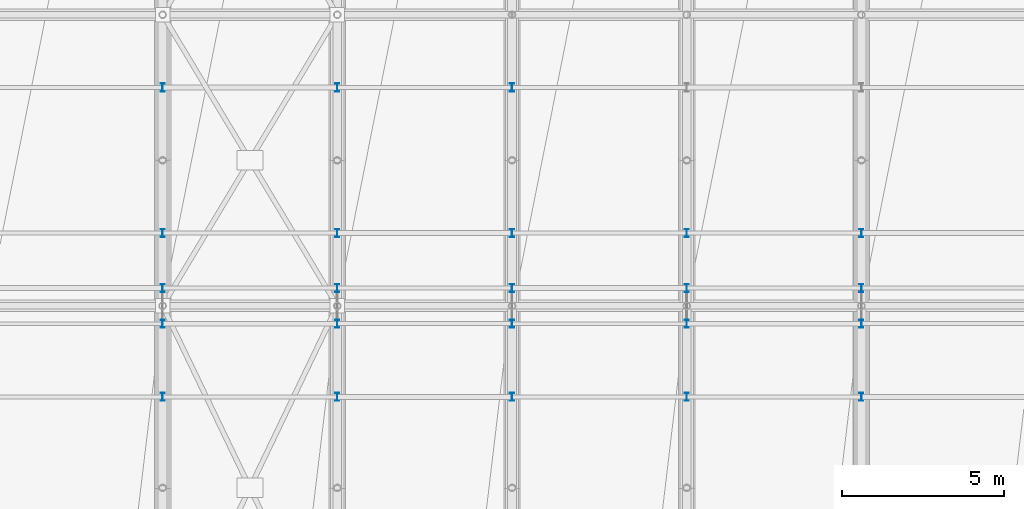
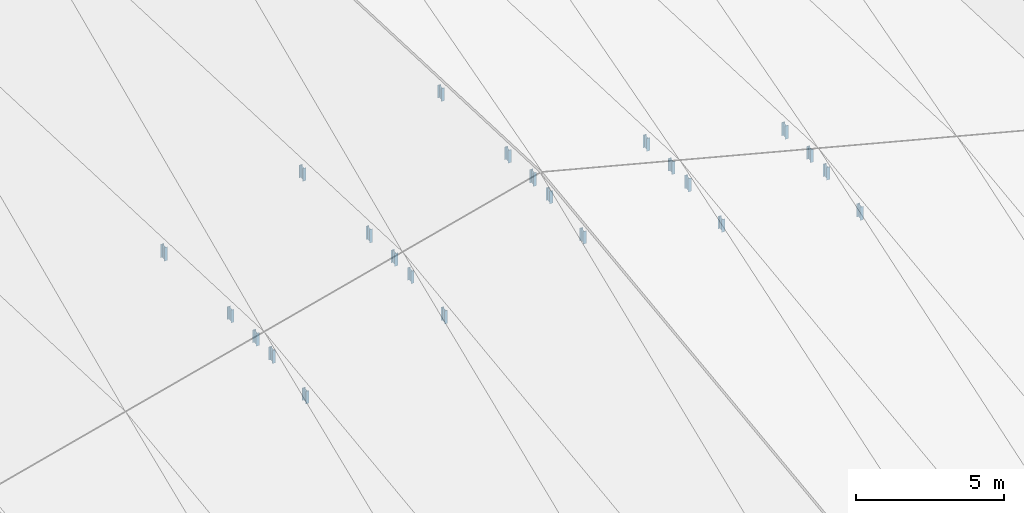
# One storey, part 72 of 109: 23 members.
"""IFC4 building model written with IfcOpenShell, lengths in metres."""

from ifc_helpers import new_model, si_unit, direction, frame, origin, origin_2d, place, context, subcontext, project, spatial, i_section, extrude, material, material_profile, profile_set, type_object, element, save


model = new_model("IFC4")

# Units and contexts
model_context = context("Model", 3, precision=1e-05, world=origin(), true_north=direction((0.0, 1.0)))
body_context = subcontext(model_context, "Body", "Model", "MODEL_VIEW")
ifc_project = project(units=[si_unit("LENGTHUNIT", "METRE"), si_unit("AREAUNIT", "SQUARE_METRE"), si_unit("VOLUMEUNIT", "CUBIC_METRE"), si_unit("PLANEANGLEUNIT", "RADIAN"), si_unit("MASSUNIT", "GRAM", prefix="KILO")], contexts=[model_context])

# Site, building, storey
site_placement = place(None, origin())
site = spatial("IfcSite", under=ifc_project, at=site_placement, CompositionType="ELEMENT")
building_placement = place(site_placement, origin())
building = spatial("IfcBuilding", under=site, at=building_placement, Name="Suirenkawa Promenade Aquatics Centre", CompositionType="ELEMENT")
storey_placement = place(building_placement, frame((0.0, 0.0, 22.800048828125)))
storey = spatial("IfcBuildingStorey", under=building, at=storey_placement, Name="ROOF", CompositionType="ELEMENT", Elevation=22.800048828125)

# Members
ifc_material = material(Name="Steel IS 2062 E350 (Grade 350)", Category="steel")
ifc_material_profile = material_profile(ifc_material, i_section(OverallWidth=0.125, OverallDepth=0.25, WebThickness=0.007080078125, FlangeThickness=0.012939453125, at=origin_2d()), Name="ISMB 250", Category="steel")
ifc_profile_set = profile_set([ifc_material_profile], Name="Steel IS 2062 E350 (Grade 350)")
member_type = type_object("IfcMemberType", Name="MT-WEB-CHS168", PredefinedType="BRACE", material=ifc_profile_set)
member_1_placement = place(storey_placement, frame((100.800048828125, 92.587890625, -6.98193359375), z_axis=(0.0, 0.0, 1.0), x_axis=(1.0, 0.0, 0.0)))
element("IfcMember", 1, at=member_1_placement, inside=storey, type_object=member_type, Name="ROOF TRUSS Purlin cleat post TD-03 MB-2028", PredefinedType="BRACE", context=body_context, shape_type="SweptSolid", body=[
    extrude(i_section(OverallWidth=0.125, OverallDepth=0.25, WebThickness=0.007080078125, FlangeThickness=0.012939453125, at=origin_2d()), origin(), (0.0, 0.0, 1.0), 0.519775390625),
])
member_2_placement = place(storey_placement, frame((100.800048828125, 94.85009765625, -6.691162109375), z_axis=(0.0, 0.0, 1.0), x_axis=(1.0, 0.0, 0.0)))
element("IfcMember", 2, at=member_2_placement, inside=storey, type_object=member_type, Name="ROOF TRUSS Purlin cleat post TD-03 MB-2030", PredefinedType="BRACE", context=body_context, shape_type="SweptSolid", body=[
    extrude(i_section(OverallWidth=0.125, OverallDepth=0.25, WebThickness=0.007080078125, FlangeThickness=0.012939453125, at=origin_2d()), origin(), (0.0, 0.0, 1.0), 0.546142578125),
])
member_3_placement = place(storey_placement, frame((100.800048828125, 95.949951171875, -6.64208984375), z_axis=(0.0, 0.0, 1.0), x_axis=(1.0, 0.0, 0.0)))
element("IfcMember", 3, at=member_3_placement, inside=storey, type_object=member_type, Name="ROOF TRUSS Purlin cleat post TD-03 MB-2032", PredefinedType="BRACE", context=body_context, shape_type="SweptSolid", body=[
    extrude(i_section(OverallWidth=0.125, OverallDepth=0.25, WebThickness=0.007080078125, FlangeThickness=0.012939453125, at=origin_2d()), origin(), (0.0, 0.0, 1.0), 0.527099609375),
])
member_4_placement = place(storey_placement, frame((100.800048828125, 97.64990234375, -6.712158203125), z_axis=(0.0, 0.0, 1.0), x_axis=(1.0, 0.0, 0.0)))
element("IfcMember", 4, at=member_4_placement, inside=storey, type_object=member_type, Name="ROOF TRUSS Purlin cleat post TD-03 MB-2034", PredefinedType="BRACE", context=body_context, shape_type="SweptSolid", body=[
    extrude(i_section(OverallWidth=0.125, OverallDepth=0.25, WebThickness=0.007080078125, FlangeThickness=0.012939453125, at=origin_2d()), origin(), (0.0, 0.0, 1.0), 0.529052734375),
])
member_5_placement = place(storey_placement, frame((100.800048828125, 102.14990234375, -6.89501953125), z_axis=(0.0, 0.0, 1.0), x_axis=(1.0, 0.0, 0.0)))
element("IfcMember", 5, at=member_5_placement, inside=storey, type_object=member_type, Name="ROOF TRUSS Purlin cleat post TD-03 MB-2036", PredefinedType="BRACE", context=body_context, shape_type="SweptSolid", body=[
    extrude(i_section(OverallWidth=0.125, OverallDepth=0.25, WebThickness=0.007080078125, FlangeThickness=0.012939453125, at=origin_2d()), origin(), (0.0, 0.0, 1.0), 0.552978515625),
])
member_6_placement = place(storey_placement, frame((106.199951171875, 92.587890625, -5.58203125), z_axis=(0.0, 0.0, 1.0), x_axis=(1.0, 0.0, 0.0)))
element("IfcMember", 6, at=member_6_placement, inside=storey, type_object=member_type, Name="ROOF TRUSS Purlin cleat post TD-03 MB-2064", PredefinedType="BRACE", context=body_context, shape_type="SweptSolid", body=[
    extrude(i_section(OverallWidth=0.125, OverallDepth=0.25, WebThickness=0.007080078125, FlangeThickness=0.012939453125, at=origin_2d()), origin(), (0.0, 0.0, 1.0), 0.5458984375),
])
member_7_placement = place(storey_placement, frame((106.199951171875, 94.85009765625, -5.291015625), z_axis=(0.0, 0.0, 1.0), x_axis=(1.0, 0.0, 0.0)))
element("IfcMember", 7, at=member_7_placement, inside=storey, type_object=member_type, Name="ROOF TRUSS Purlin cleat post TD-03 MB-2066", PredefinedType="BRACE", context=body_context, shape_type="SweptSolid", body=[
    extrude(i_section(OverallWidth=0.125, OverallDepth=0.25, WebThickness=0.007080078125, FlangeThickness=0.012939453125, at=origin_2d()), origin(), (0.0, 0.0, 1.0), 0.51904296875),
])
member_8_placement = place(storey_placement, frame((106.199951171875, 95.949951171875, -5.241943359375), z_axis=(0.0, 0.0, 1.0), x_axis=(1.0, 0.0, 0.0)))
element("IfcMember", 8, at=member_8_placement, inside=storey, type_object=member_type, Name="ROOF TRUSS Purlin cleat post TD-03 MB-2068", PredefinedType="BRACE", context=body_context, shape_type="SweptSolid", body=[
    extrude(i_section(OverallWidth=0.125, OverallDepth=0.25, WebThickness=0.007080078125, FlangeThickness=0.012939453125, at=origin_2d()), origin(), (0.0, 0.0, 1.0), 0.52783203125),
])
member_9_placement = place(storey_placement, frame((106.199951171875, 97.64990234375, -5.31201171875), z_axis=(0.0, 0.0, 1.0), x_axis=(1.0, 0.0, 0.0)))
element("IfcMember", 9, at=member_9_placement, inside=storey, type_object=member_type, Name="ROOF TRUSS Purlin cleat post TD-03 MB-2070", PredefinedType="BRACE", context=body_context, shape_type="SweptSolid", body=[
    extrude(i_section(OverallWidth=0.125, OverallDepth=0.25, WebThickness=0.007080078125, FlangeThickness=0.012939453125, at=origin_2d()), origin(), (0.0, 0.0, 1.0), 0.553955078125),
])
member_10_placement = place(storey_placement, frame((106.199951171875, 102.14990234375, -5.4951171875), z_axis=(0.0, 0.0, 1.0), x_axis=(1.0, 0.0, 0.0)))
element("IfcMember", 10, at=member_10_placement, inside=storey, type_object=member_type, Name="ROOF TRUSS Purlin cleat post TD-03 MB-2072", PredefinedType="BRACE", context=body_context, shape_type="SweptSolid", body=[
    extrude(i_section(OverallWidth=0.125, OverallDepth=0.25, WebThickness=0.007080078125, FlangeThickness=0.012939453125, at=origin_2d()), origin(), (0.0, 0.0, 1.0), 0.528076171875),
])
member_11_placement = place(storey_placement, frame((111.60009765625, 92.587890625, -4.18212890625), z_axis=(0.0, 0.0, 1.0), x_axis=(1.0, 0.0, 0.0)))
element("IfcMember", 11, at=member_11_placement, inside=storey, type_object=member_type, Name="ROOF TRUSS Purlin cleat post TD-03 MB-2100", PredefinedType="BRACE", context=body_context, shape_type="SweptSolid", body=[
    extrude(i_section(OverallWidth=0.125, OverallDepth=0.25, WebThickness=0.007080078125, FlangeThickness=0.012939453125, at=origin_2d()), origin(), (0.0, 0.0, 1.0), 0.51904296875),
])
member_12_placement = place(storey_placement, frame((111.60009765625, 94.85009765625, -3.89111328125), z_axis=(0.0, 0.0, 1.0), x_axis=(1.0, 0.0, 0.0)))
element("IfcMember", 12, at=member_12_placement, inside=storey, type_object=member_type, Name="ROOF TRUSS Purlin cleat post TD-03 MB-2102", PredefinedType="BRACE", context=body_context, shape_type="SweptSolid", body=[
    extrude(i_section(OverallWidth=0.125, OverallDepth=0.25, WebThickness=0.007080078125, FlangeThickness=0.012939453125, at=origin_2d()), origin(), (0.0, 0.0, 1.0), 0.52099609375),
])
member_13_placement = place(storey_placement, frame((111.60009765625, 95.949951171875, -3.842041015625), z_axis=(0.0, 0.0, 1.0), x_axis=(1.0, 0.0, 0.0)))
element("IfcMember", 13, at=member_13_placement, inside=storey, type_object=member_type, Name="ROOF TRUSS Purlin cleat post TD-03 MB-2104", PredefinedType="BRACE", context=body_context, shape_type="SweptSolid", body=[
    extrude(i_section(OverallWidth=0.125, OverallDepth=0.25, WebThickness=0.007080078125, FlangeThickness=0.012939453125, at=origin_2d()), origin(), (0.0, 0.0, 1.0), 0.552978515625),
])
member_14_placement = place(storey_placement, frame((111.60009765625, 97.64990234375, -3.912109375), z_axis=(0.0, 0.0, 1.0), x_axis=(1.0, 0.0, 0.0)))
element("IfcMember", 14, at=member_14_placement, inside=storey, type_object=member_type, Name="ROOF TRUSS Purlin cleat post TD-03 MB-2106", PredefinedType="BRACE", context=body_context, shape_type="SweptSolid", body=[
    extrude(i_section(OverallWidth=0.125, OverallDepth=0.25, WebThickness=0.007080078125, FlangeThickness=0.012939453125, at=origin_2d()), origin(), (0.0, 0.0, 1.0), 0.528076171875),
])
member_15_placement = place(storey_placement, frame((111.60009765625, 102.14990234375, -4.094970703125), z_axis=(0.0, 0.0, 1.0), x_axis=(1.0, 0.0, 0.0)))
element("IfcMember", 15, at=member_15_placement, inside=storey, type_object=member_type, Name="ROOF TRUSS Purlin cleat post TD-03 MB-2108", PredefinedType="BRACE", context=body_context, shape_type="SweptSolid", body=[
    extrude(i_section(OverallWidth=0.125, OverallDepth=0.25, WebThickness=0.007080078125, FlangeThickness=0.012939453125, at=origin_2d()), origin(), (0.0, 0.0, 1.0), 0.52783203125),
])
member_16_placement = place(storey_placement, frame((117.0, 92.587890625, -5.58203125), z_axis=(0.0, 0.0, 1.0), x_axis=(1.0, 0.0, 0.0)))
element("IfcMember", 16, at=member_16_placement, inside=storey, type_object=member_type, Name="ROOF TRUSS Purlin cleat post TD-03 MB-2136", PredefinedType="BRACE", context=body_context, shape_type="SweptSolid", body=[
    extrude(i_section(OverallWidth=0.125, OverallDepth=0.25, WebThickness=0.007080078125, FlangeThickness=0.012939453125, at=origin_2d()), origin(), (0.0, 0.0, 1.0), 0.52001953125),
])
member_17_placement = place(storey_placement, frame((117.0, 94.85009765625, -5.291015625), z_axis=(0.0, 0.0, 1.0), x_axis=(1.0, 0.0, 0.0)))
element("IfcMember", 17, at=member_17_placement, inside=storey, type_object=member_type, Name="ROOF TRUSS Purlin cleat post TD-03 MB-2138", PredefinedType="BRACE", context=body_context, shape_type="SweptSolid", body=[
    extrude(i_section(OverallWidth=0.125, OverallDepth=0.25, WebThickness=0.007080078125, FlangeThickness=0.012939453125, at=origin_2d()), origin(), (0.0, 0.0, 1.0), 0.5458984375),
])
member_18_placement = place(storey_placement, frame((117.0, 95.949951171875, -5.241943359375), z_axis=(0.0, 0.0, 1.0), x_axis=(1.0, 0.0, 0.0)))
element("IfcMember", 18, at=member_18_placement, inside=storey, type_object=member_type, Name="ROOF TRUSS Purlin cleat post TD-03 MB-2140", PredefinedType="BRACE", context=body_context, shape_type="SweptSolid", body=[
    extrude(i_section(OverallWidth=0.125, OverallDepth=0.25, WebThickness=0.007080078125, FlangeThickness=0.012939453125, at=origin_2d()), origin(), (0.0, 0.0, 1.0), 0.52685546875),
])
member_19_placement = place(storey_placement, frame((117.0, 97.64990234375, -5.31201171875), z_axis=(0.0, 0.0, 1.0), x_axis=(1.0, 0.0, 0.0)))
element("IfcMember", 19, at=member_19_placement, inside=storey, type_object=member_type, Name="ROOF TRUSS Purlin cleat post TD-03 MB-2142", PredefinedType="BRACE", context=body_context, shape_type="SweptSolid", body=[
    extrude(i_section(OverallWidth=0.125, OverallDepth=0.25, WebThickness=0.007080078125, FlangeThickness=0.012939453125, at=origin_2d()), origin(), (0.0, 0.0, 1.0), 0.529052734375),
])
member_20_placement = place(storey_placement, frame((122.39990234375, 92.587890625, -6.98193359375), z_axis=(0.0, 0.0, 1.0), x_axis=(1.0, 0.0, 0.0)))
element("IfcMember", 20, at=member_20_placement, inside=storey, type_object=member_type, Name="ROOF TRUSS Purlin cleat post TD-03 MB-2172", PredefinedType="BRACE", context=body_context, shape_type="SweptSolid", body=[
    extrude(i_section(OverallWidth=0.125, OverallDepth=0.25, WebThickness=0.007080078125, FlangeThickness=0.012939453125, at=origin_2d()), origin(), (0.0, 0.0, 1.0), 0.5458984375),
])
member_21_placement = place(storey_placement, frame((122.39990234375, 94.85009765625, -6.691162109375), z_axis=(0.0, 0.0, 1.0), x_axis=(1.0, 0.0, 0.0)))
element("IfcMember", 21, at=member_21_placement, inside=storey, type_object=member_type, Name="ROOF TRUSS Purlin cleat post TD-03 MB-2174", PredefinedType="BRACE", context=body_context, shape_type="SweptSolid", body=[
    extrude(i_section(OverallWidth=0.125, OverallDepth=0.25, WebThickness=0.007080078125, FlangeThickness=0.012939453125, at=origin_2d()), origin(), (0.0, 0.0, 1.0), 0.51904296875),
])
member_22_placement = place(storey_placement, frame((122.39990234375, 95.949951171875, -6.64208984375), z_axis=(0.0, 0.0, 1.0), x_axis=(1.0, 0.0, 0.0)))
element("IfcMember", 22, at=member_22_placement, inside=storey, type_object=member_type, Name="ROOF TRUSS Purlin cleat post TD-03 MB-2176", PredefinedType="BRACE", context=body_context, shape_type="SweptSolid", body=[
    extrude(i_section(OverallWidth=0.125, OverallDepth=0.25, WebThickness=0.007080078125, FlangeThickness=0.012939453125, at=origin_2d()), origin(), (0.0, 0.0, 1.0), 0.528076171875),
])
member_23_placement = place(storey_placement, frame((122.39990234375, 97.64990234375, -6.712158203125), z_axis=(0.0, 0.0, 1.0), x_axis=(1.0, 0.0, 0.0)))
element("IfcMember", 23, at=member_23_placement, inside=storey, type_object=member_type, Name="ROOF TRUSS Purlin cleat post TD-03 MB-2178", PredefinedType="BRACE", context=body_context, shape_type="SweptSolid", body=[
    extrude(i_section(OverallWidth=0.125, OverallDepth=0.25, WebThickness=0.007080078125, FlangeThickness=0.012939453125, at=origin_2d()), origin(), (0.0, 0.0, 1.0), 0.55419921875),
])

save(model, "model.ifc")
